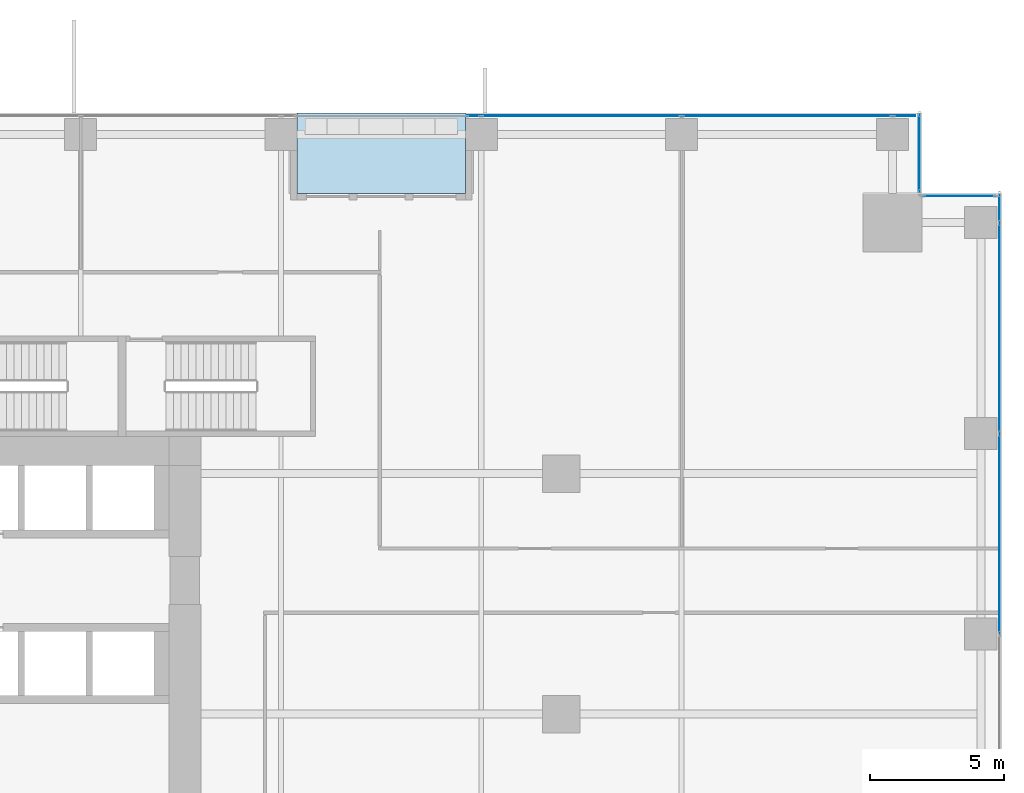
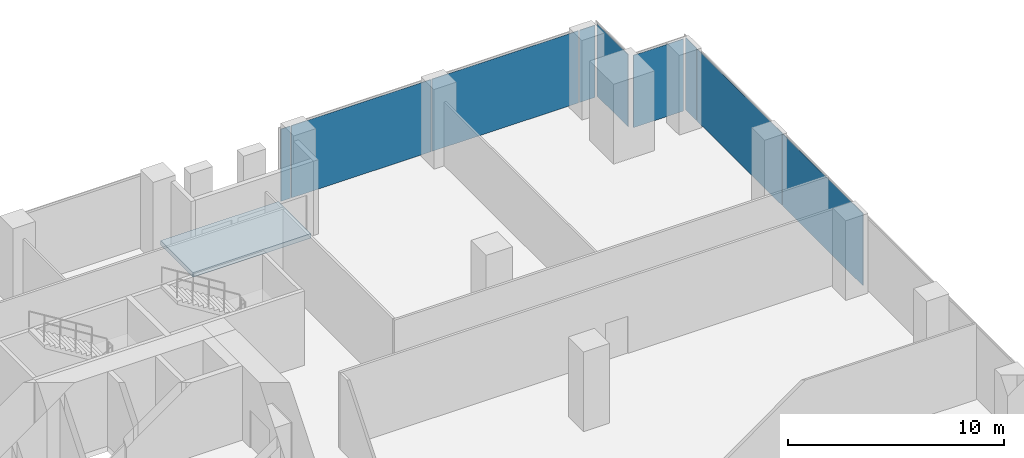
# One storey, part 26 of 33: 9 plates, 1 slab, 4 elements without a shape of their own.
"""IFC4 building model written with IfcOpenShell, lengths in metres."""

from ifc_helpers import new_model, si_unit, direction, frame, origin, origin_2d, place, context, subcontext, project, spatial, polyline, rectangle, outline, extrude, source, transform, mapped, material, layer, layer_set, type_object, element, aggregate, save


model = new_model("IFC4")

# Units and contexts
model_context = context("Model", 3, precision=1e-05, world=origin(), true_north=direction((0.0, 1.0)))
body_context = subcontext(model_context, "Body", "Model", "MODEL_VIEW")
ifc_project = project(units=[si_unit("LENGTHUNIT", "METRE"), si_unit("AREAUNIT", "SQUARE_METRE"), si_unit("VOLUMEUNIT", "CUBIC_METRE"), si_unit("PLANEANGLEUNIT", "RADIAN"), si_unit("MASSUNIT", "GRAM", prefix="KILO")], contexts=[model_context])

# Site, building, storey
site_placement = place(None, origin())
site = spatial("IfcSite", under=ifc_project, at=site_placement, CompositionType="ELEMENT")
building_placement = place(site_placement, origin())
building = spatial("IfcBuilding", under=site, at=building_placement, Name="Khomas Fold Tower", CompositionType="ELEMENT")
storey_placement = place(building_placement, frame((0.0, 0.0, 91.5)))
storey = spatial("IfcBuildingStorey", under=building, at=storey_placement, Name="L19", CompositionType="ELEMENT", Elevation=91.5)

# Curtain wall, plate
ifc_material_1 = material(Name="Aluminium framed double glazing", Category="aluminium")
curtain_wall_type = type_object("IfcCurtainWallType", Name="SK-Unitised clear-glass wall, growing floors CW1", PredefinedType="NOTDEFINED", material=ifc_material_1)
curtain_wall_1_placement = place(storey_placement, origin())
curtain_wall_1 = element("IfcCurtainWall", 1, at=curtain_wall_1_placement, inside=storey, type_object=curtain_wall_type, Name="CW1 run L19 06-0", PredefinedType="NOTDEFINED")
ifc_material_2 = material(Name="Clear double glazed unit")
ifc_layer_1 = layer(ifc_material_2, 0.031982421875)
ifc_layer_set_1 = layer_set([ifc_layer_1], Name="Clear double glazed unit")
plate_type = type_object("IfcPlateType", Name="SK-Unitised clear-glass wall, growing floors glass panel CW1-P", PredefinedType="CURTAIN_PANEL", material=ifc_layer_set_1)
shared_shape_1 = source(origin(), body_context, "Body", "SweptSolid", [
    extrude(rectangle(XDim=0.81005859375, YDim=0.031982421875, at=origin_2d()), origin(), (0.0, 0.0, 1.0), 4.080078125),
])
plate_1_placement = place(storey_placement, frame((50.3349609375, 53.89990234375, 0.0), z_axis=(0.0, 0.0, 1.0), x_axis=(-1.0, 0.0, 0.0)))
plate_1 = element("IfcPlate", 2, at=plate_1_placement, type_object=plate_type, Name="CW1 glass panel 1", PredefinedType="CURTAIN_PANEL", context=body_context, shape_type="MappedRepresentation", body=[
    mapped(shared_shape_1, transform((0.0, 0.0, 0.0))),
])

curtain_wall_2_placement = place(storey_placement, origin())
curtain_wall_2 = element("IfcCurtainWall", 3, at=curtain_wall_2_placement, inside=storey, type_object=curtain_wall_type, Name="CW1 run L19 03-0", PredefinedType="NOTDEFINED")
shared_shape_2 = source(origin(), body_context, "Body", "SweptSolid", [
    extrude(rectangle(XDim=7.840087890625, YDim=0.031982421875, at=origin_2d()), origin(), (0.0, 0.0, 1.0), 4.080078125),
])
plate_2_placement = place(storey_placement, frame((53.89990234375, 45.949951171875, 0.0), z_axis=(0.0, 0.0, 1.0), x_axis=(0.0, 1.0, 0.0)))
plate_2 = element("IfcPlate", 4, at=plate_2_placement, type_object=plate_type, Name="CW1 glass panel 7", PredefinedType="CURTAIN_PANEL", context=body_context, shape_type="MappedRepresentation", body=[
    mapped(shared_shape_2, transform((0.0, 0.0, 0.0))),
])

# Plate
plate_3_placement = place(storey_placement, frame((45.949951171875, 53.89990234375, 0.0), z_axis=(0.0, 0.0, 1.0), x_axis=(-1.0, 0.0, 0.0)))
plate_3 = element("IfcPlate", 5, at=plate_3_placement, type_object=plate_type, Name="CW1 glass panel 2", PredefinedType="CURTAIN_PANEL", context=body_context, shape_type="MappedRepresentation", body=[
    mapped(shared_shape_2, transform((0.0, 0.0, 0.0))),
])

shared_shape_3 = source(origin(), body_context, "Body", "SweptSolid", [
    extrude(rectangle(XDim=7.43994140625, YDim=0.031982421875, at=origin_2d()), origin(), (0.0, 0.0, 1.0), 4.080078125),
])
plate_4_placement = place(storey_placement, frame((53.89990234375, 38.25, 0.0), z_axis=(0.0, 0.0, 1.0), x_axis=(0.0, 1.0, 0.0)))
plate_4 = element("IfcPlate", 6, at=plate_4_placement, type_object=plate_type, Name="CW1 glass panel 6", PredefinedType="CURTAIN_PANEL", context=body_context, shape_type="MappedRepresentation", body=[
    mapped(shared_shape_3, transform((0.0, 0.0, 0.0))),
])

plate_5_placement = place(storey_placement, frame((38.25, 53.89990234375, 0.0), z_axis=(0.0, 0.0, 1.0), x_axis=(-1.0, 0.0, 0.0)))
plate_5 = element("IfcPlate", 7, at=plate_5_placement, type_object=plate_type, Name="CW1 glass panel 3", PredefinedType="CURTAIN_PANEL", context=body_context, shape_type="MappedRepresentation", body=[
    mapped(shared_shape_3, transform((0.0, 0.0, 0.0))),
])

shared_shape_4 = source(origin(), body_context, "Body", "SweptSolid", [
    extrude(rectangle(XDim=1.010009765625, YDim=0.031982421875, at=origin_2d()), origin(), (0.0, 0.0, 1.0), 4.080078125),
])
plate_6_placement = place(storey_placement, frame((53.89990234375, 50.43505859375, 0.0), z_axis=(0.0, 0.0, 1.0), x_axis=(0.0, 1.0, 0.0)))
plate_6 = element("IfcPlate", 8, at=plate_6_placement, type_object=plate_type, Name="CW1 glass panel 8", PredefinedType="CURTAIN_PANEL", context=body_context, shape_type="MappedRepresentation", body=[
    mapped(shared_shape_4, transform((0.0, 0.0, 0.0))),
])

aggregate(curtain_wall_2, [plate_4, plate_2, plate_6])

# Curtain wall, plate
curtain_wall_3_placement = place(storey_placement, origin())
curtain_wall_3 = element("IfcCurtainWall", 9, at=curtain_wall_3_placement, inside=storey, type_object=curtain_wall_type, Name="CW1 corner return L19 04", PredefinedType="NOTDEFINED")
shared_shape_5 = source(origin(), body_context, "Body", "SweptSolid", [
    extrude(rectangle(XDim=2.679931640625, YDim=0.031982421875, at=origin_2d()), origin(), (0.0, 0.0, 1.0), 4.080078125),
])
plate_7_placement = place(storey_placement, frame((52.39990234375, 50.89990234375, 0.0), z_axis=(0.0, 0.0, 1.0), x_axis=(-1.0, 0.0, 0.0)))
plate_7 = element("IfcPlate", 10, at=plate_7_placement, type_object=plate_type, Name="CW1 glass panel 1", PredefinedType="CURTAIN_PANEL", context=body_context, shape_type="MappedRepresentation", body=[
    mapped(shared_shape_5, transform((0.0, 0.0, 0.0))),
])
aggregate(curtain_wall_3, [plate_7])

curtain_wall_4_placement = place(storey_placement, origin())
curtain_wall_4 = element("IfcCurtainWall", 11, at=curtain_wall_4_placement, inside=storey, type_object=curtain_wall_type, Name="CW1 corner return L19 05", PredefinedType="NOTDEFINED")
shared_shape_6 = source(origin(), body_context, "Body", "SweptSolid", [
    extrude(rectangle(XDim=2.8798828125, YDim=0.031982421875, at=origin_2d()), origin(), (0.0, 0.0, 1.0), 4.080078125),
])
plate_8_placement = place(storey_placement, frame((50.89990234375, 52.5, 0.0), z_axis=(0.0, 0.0, 1.0), x_axis=(0.0, 1.0, 0.0)))
plate_8 = element("IfcPlate", 12, at=plate_8_placement, type_object=plate_type, Name="CW1 glass panel 1", PredefinedType="CURTAIN_PANEL", context=body_context, shape_type="MappedRepresentation", body=[
    mapped(shared_shape_6, transform((0.0, 0.0, 0.0))),
])
aggregate(curtain_wall_4, [plate_8])

# Plate
shared_shape_7 = source(origin(), body_context, "Body", "SweptSolid", [
    extrude(rectangle(XDim=0.510009765625, YDim=0.031982421875, at=origin_2d()), origin(), (0.0, 0.0, 1.0), 4.080078125),
])
plate_9_placement = place(storey_placement, frame((34.215087890625, 53.89990234375, 0.0), z_axis=(0.0, 0.0, 1.0), x_axis=(-1.0, 0.0, 0.0)))
plate_9 = element("IfcPlate", 13, at=plate_9_placement, type_object=plate_type, Name="CW1 glass panel 4", PredefinedType="CURTAIN_PANEL", context=body_context, shape_type="MappedRepresentation", body=[
    mapped(shared_shape_7, transform((0.0, 0.0, 0.0))),
])

aggregate(curtain_wall_1, [plate_1, plate_3, plate_5, plate_9])

# Slab
ifc_material_3 = material(Name="Concrete C40/50", Category="concrete")
ifc_layer_2 = layer(ifc_material_3, 0.2548828125)
ifc_layer_set_2 = layer_set([ifc_layer_2], Name="Concrete C40/50")
slab_type = type_object("IfcSlabType", Name="BL-Balcony deck 255", PredefinedType="FLOOR", material=ifc_layer_set_2)
shared_shape_8 = source(origin(), body_context, "Body", "SweptSolid", [
    extrude(outline(polyline([(27.60009765625, 51.0), (33.89990234375, 51.0), (33.89990234375, 54.0), (27.60009765625, 54.0), (27.60009765625, 51.0)])), origin(), (0.0, 0.0, 1.0), 0.255126953125),
])
slab_placement = place(storey_placement, frame((0.0, 0.0, -0.300048828125)))
element("IfcSlab", 14, at=slab_placement, inside=storey, type_object=slab_type, Name="Balcony deck BAL-L19-N3", PredefinedType="FLOOR", context=body_context, shape_type="MappedRepresentation", body=[
    mapped(shared_shape_8, transform((0.0, 0.0, 0.0))),
])

save(model, "model.ifc")
